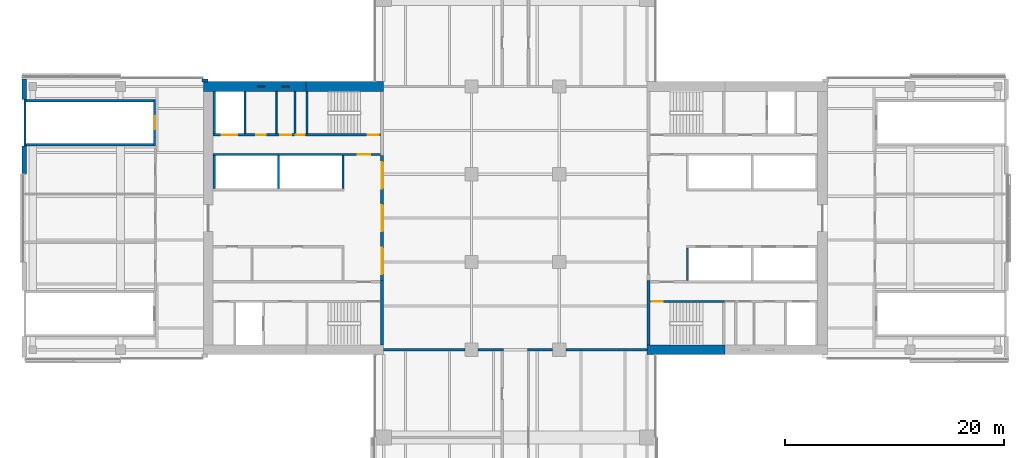
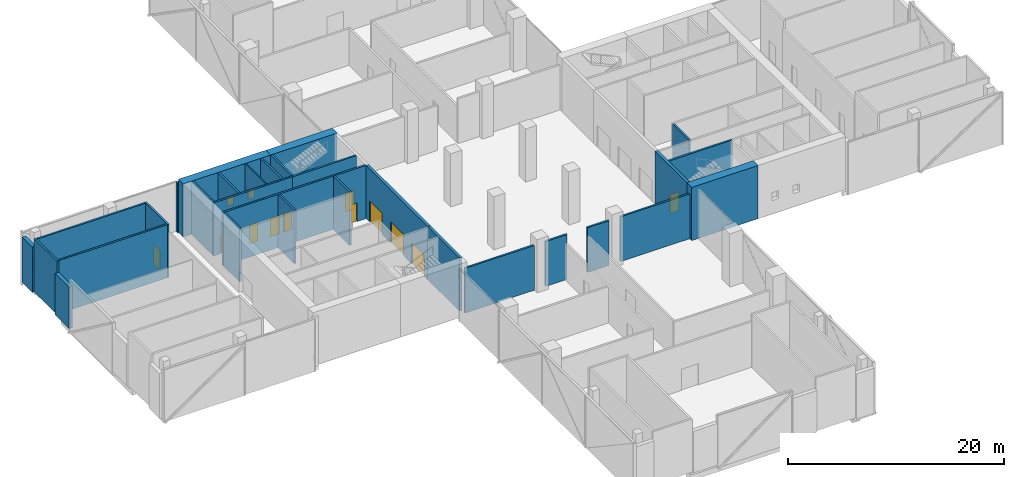
# One storey, part 15 of 23: 30 walls, 11 doors, 2 windows, 13 openings.
"""IFC4 building model written with IfcOpenShell, lengths in metres."""

import ifcopenshell
import ifcopenshell.guid

model = None  # the IFC model being written
_history = None  # IfcOwnerHistory: only IFC2X3 demands one
_inside = {}  # id of a spatial element -> (the spatial element, [elements in it])
_under = {}  # id of a project, library or spatial element -> (it, [spatial elements below it])
_declared = {}  # id of a project -> (the project, [libraries it declares])
_typed = {}  # id of a type object -> (the type object, [elements of that type])
_made_of = {}  # id of a material, layer set ... -> (it, [elements and type objects made of it])


def new_model(schema):
    """Start an empty IFC model of exactly this schema.

    Asked for "IFC4X3", IfcOpenShell would pick the latest addendum, in which some entities
    have other attributes; the version numbers below select the first issue.
    IFC2X3 requires an IfcOwnerHistory on every rooted entity: one is made here for all.
    """
    global model, _history
    if schema == "IFC4X3":
        model = ifcopenshell.file(schema_version=(4, 3, 0, 0))
    else:
        model = ifcopenshell.file(schema=schema)
    _inside.clear()
    _under.clear()
    _declared.clear()
    _typed.clear()
    _made_of.clear()
    _history = None
    if model.schema == "IFC2X3":
        org = make("IfcOrganization", Name="unknown")
        user = make(
            "IfcPersonAndOrganization",
            ThePerson=make("IfcPerson", FamilyName="unknown"),
            TheOrganization=org,
        )
        app = make(
            "IfcApplication",
            ApplicationDeveloper=org,
            Version="unknown",
            ApplicationFullName="unknown",
            ApplicationIdentifier="unknown",
        )
        _history = make(
            "IfcOwnerHistory",
            OwningUser=user,
            OwningApplication=app,
            ChangeAction="ADDED",
            CreationDate=0,
        )
    return model


def make(cls, **values):
    """One entity of the class cls with the attributes given. An attribute that is None is left unset."""
    return model.create_entity(
        cls, **{name: value for name, value in values.items() if value is not None}
    )


def rooted(cls, **values):
    """An entity with a GlobalId (a new one), such as an element, a storey or a relation."""
    return make(cls, GlobalId=ifcopenshell.guid.new(), OwnerHistory=_history, **values)


def si_unit(unit_type, name, prefix=None):
    """IfcSIUnit, for example si_unit("LENGTHUNIT", "METRE", prefix="MILLI")."""
    return make("IfcSIUnit", UnitType=unit_type, Prefix=prefix, Name=name)


def assignment(units):
    """IfcUnitAssignment: the units of a project."""
    return None if units is None else make("IfcUnitAssignment", Units=units)


def point(xyz):
    """IfcCartesianPoint."""
    return None if xyz is None else make("IfcCartesianPoint", Coordinates=xyz)


def direction(xyz):
    """IfcDirection."""
    return None if xyz is None else make("IfcDirection", DirectionRatios=xyz)


def frame(location, z_axis=None, x_axis=None):
    """IfcAxis2Placement3D, a coordinate frame: its origin and axes. An axis left out is left unset."""
    return make(
        "IfcAxis2Placement3D",
        Location=point(location),
        Axis=direction(z_axis),
        RefDirection=direction(x_axis),
    )


def frame_2d(location, x_axis=None):
    """IfcAxis2Placement2D, a coordinate frame in the plane: its origin and x axis."""
    return make(
        "IfcAxis2Placement2D", Location=point(location), RefDirection=direction(x_axis)
    )


def origin():
    """The frame at (0, 0, 0) with its axes left unset."""
    return frame((0.0, 0.0, 0.0))


def place(relative_to, where):
    """IfcLocalPlacement: puts the frame where relative to a parent placement (None: the world)."""
    return make(
        "IfcLocalPlacement", PlacementRelTo=relative_to, RelativePlacement=where
    )


def context(
    kind, dimensions, precision=None, world=None, true_north=None, identifier=None
):
    """IfcGeometricRepresentationContext, for example the 3D "Model" context."""
    return make(
        "IfcGeometricRepresentationContext",
        ContextIdentifier=identifier,
        ContextType=kind,
        CoordinateSpaceDimension=dimensions,
        Precision=precision,
        WorldCoordinateSystem=world,
        TrueNorth=true_north,
    )


def subcontext(parent, identifier, kind, view, scale=None):
    """IfcGeometricRepresentationSubContext, for example "Body" below "Model"."""
    return make(
        "IfcGeometricRepresentationSubContext",
        ContextIdentifier=identifier,
        ContextType=kind,
        ParentContext=parent,
        TargetScale=scale,
        TargetView=view,
    )


def project(units=None, contexts=None):
    """IfcProject with its units and contexts."""
    return rooted(
        "IfcProject",
        Name="project",
        RepresentationContexts=contexts,
        UnitsInContext=assignment(units),
    )


def spatial(cls, under=None, at=None, **own):
    """A site, building, storey or space (cls), placed at a placement, below another one or the project."""
    s = rooted(cls, ObjectPlacement=at, **own)
    if under is not None:
        _under.setdefault(under.id(), (under, []))[1].append(s)
    return s


def profile(cls, at=None, kind="AREA", **sizes):
    """A parametric profile (cls). Its sizes go by their IFC names, for example OverallWidth=200.0."""
    return make(cls, ProfileType=kind, Position=at, **sizes)


def rectangle(**sizes):
    """IfcRectangleProfileDef."""
    return profile("IfcRectangleProfileDef", **sizes)


def extrude(swept, where, along, depth):
    """IfcExtrudedAreaSolid: the profile swept, set in the frame where, extruded along a direction by depth."""
    return make(
        "IfcExtrudedAreaSolid",
        SweptArea=swept,
        Position=where,
        ExtrudedDirection=direction(along),
        Depth=depth,
    )


def shape(context_of_items, identifier, shape_type, items):
    """IfcShapeRepresentation: the items that make up one representation, for example the "Body"."""
    return make(
        "IfcShapeRepresentation",
        ContextOfItems=context_of_items,
        RepresentationIdentifier=identifier,
        RepresentationType=shape_type,
        Items=items,
    )


def material(Name=None, Category=None):
    """IfcMaterial."""
    return make("IfcMaterial", Name=Name, Category=Category)


def layer(
    of_material, thickness, ventilated=None, Name=None, Category=None, Priority=None
):
    """IfcMaterialLayer: one layer of a wall or slab, of a material (None: an air gap)."""
    return make(
        "IfcMaterialLayer",
        Material=of_material,
        LayerThickness=thickness,
        IsVentilated=ventilated,
        Name=Name,
        Category=Category,
        Priority=Priority,
    )


def layer_set(layers, Name=None):
    """IfcMaterialLayerSet."""
    return make("IfcMaterialLayerSet", MaterialLayers=layers, LayerSetName=Name)


def constituent(of_material, Name=None, Category=None, fraction=None):
    """IfcMaterialConstituent: one of the materials an element consists of."""
    return make(
        "IfcMaterialConstituent",
        Name=Name,
        Material=of_material,
        Fraction=fraction,
        Category=Category,
    )


def constituent_set(constituents=None, Name=None):
    """IfcMaterialConstituentSet."""
    return make(
        "IfcMaterialConstituentSet", Name=Name, MaterialConstituents=constituents
    )


def made_of(thing, what):
    """Note that an element or type object is made of a material, layer set ...; save() writes the relation."""
    if what is not None:
        _made_of.setdefault(what.id(), (what, []))[1].append(thing)
    return thing


def type_object(cls, material=None, **own):
    """A type object (cls), such as IfcWallType, which elements share."""
    return made_of(rooted(cls, **own), material)


def element(
    cls,
    number,
    at=None,
    inside=None,
    cuts=None,
    type_object=None,
    material=None,
    context=None,
    identifier="Body",
    shape_type=None,
    held_by="IfcProductDefinitionShape",
    body=None,
    shapes=None,
    **own,
):
    """One element of the class cls, such as IfcWall. Its Tag is "e" and its number.

    at: its placement. inside: the storey or other place that contains it. cuts: it is an
    opening in that element (IfcRelVoidsElement). A single representation is given by context,
    identifier, shape_type and body (its items); several are given by shapes. held_by: the class
    of the entity that holds the representations. save() writes the other relations.
    """
    e = rooted(cls, Tag="e%d" % number, ObjectPlacement=at, **own)
    if body is not None:
        shapes = [shape(context, identifier, shape_type, body)]
    if shapes is not None:
        e.Representation = make(held_by, Representations=shapes)
    if inside is not None:
        _inside.setdefault(inside.id(), (inside, []))[1].append(e)
    if cuts is not None:
        rooted(
            "IfcRelVoidsElement", RelatingBuildingElement=cuts, RelatedOpeningElement=e
        )
    if type_object is not None:
        _typed.setdefault(type_object.id(), (type_object, []))[1].append(e)
    return made_of(e, material)


def fill(opening, filler):
    """IfcRelFillsElement: the door or window that sits in an opening."""
    return rooted(
        "IfcRelFillsElement",
        RelatingOpeningElement=opening,
        RelatedBuildingElement=filler,
    )


def aggregate(whole, parts):
    """IfcRelAggregates: a whole, such as a stair, and the parts it consists of."""
    return rooted("IfcRelAggregates", RelatingObject=whole, RelatedObjects=parts)


def save(model, path):
    """Write the relations noted so far, then the file.

    IfcRelAggregates (storeys below a building ...), IfcRelContainedInSpatialStructure (elements
    in a storey), IfcRelDefinesByType, IfcRelAssociatesMaterial and IfcRelDeclares: one each for
    every whole, place, type object, material and project.
    """
    for whole, parts in _under.values():
        aggregate(whole, parts)
    for where, things in _inside.values():
        rooted(
            "IfcRelContainedInSpatialStructure",
            RelatedElements=things,
            RelatingStructure=where,
        )
    for kind, things in _typed.values():
        rooted("IfcRelDefinesByType", RelatedObjects=things, RelatingType=kind)
    for what, things in _made_of.values():
        rooted("IfcRelAssociatesMaterial", RelatedObjects=things, RelatingMaterial=what)
    for by, libraries in _declared.values():
        rooted("IfcRelDeclares", RelatingContext=by, RelatedDefinitions=libraries)
    model.write(path)


model = new_model("IFC4")

# Units and contexts
model_context = context("Model", 3, precision=1e-05, world=origin(), true_north=direction((0.0, 1.0)))
body_context = subcontext(model_context, "Body", "Model", "MODEL_VIEW")
ifc_project = project(units=[si_unit("LENGTHUNIT", "METRE"), si_unit("AREAUNIT", "SQUARE_METRE"), si_unit("VOLUMEUNIT", "CUBIC_METRE"), si_unit("PLANEANGLEUNIT", "RADIAN"), si_unit("MASSUNIT", "GRAM", prefix="KILO")], contexts=[model_context])

# Site, building, storey
site_placement = place(None, origin())
site = spatial("IfcSite", under=ifc_project, at=site_placement, CompositionType="ELEMENT")
building_placement = place(site_placement, origin())
building = spatial("IfcBuilding", under=site, at=building_placement, Name="Crosswind Convention Tower", CompositionType="ELEMENT")
storey_placement = place(building_placement, frame((0.0, 0.0, 41.5)))
storey = spatial("IfcBuildingStorey", under=building, at=storey_placement, Name="L05", CompositionType="ELEMENT", Elevation=41.5)

# Walls
ifc_material_1 = material(Name="Concrete blockwork", Category="masonry")
ifc_layer_1 = layer(ifc_material_1, 0.199951171875)
ifc_layer_set_1 = layer_set([ifc_layer_1], Name="Blockwork partition wall 200")
wall_type_1 = type_object("IfcWallType", Name="Blockwork partition wall 200", PredefinedType="PARTITIONING", material=ifc_layer_set_1)
wall_1_placement = place(storey_placement, frame((104.89990234375, 111.550048828125, 0.0), z_axis=(0.0, 0.0, 1.0), x_axis=(0.0, -1.0, 0.0)))
element("IfcWall", 1, at=wall_1_placement, inside=storey, type_object=wall_type_1, Name="Wall MRSE W L05", PredefinedType="PARTITIONING", context=body_context, shape_type="SweptSolid", body=[
    extrude(rectangle(XDim=3.85009765625, YDim=0.199951171875, at=frame_2d((1.925048828125, 0.0))), origin(), (0.0, 0.0, 1.0), 6.0),
])
ifc_material_2 = material(Name="Concrete C50/60", Category="concrete")
ifc_layer_2 = layer(ifc_material_2, 0.300048828125)
ifc_layer_set_2 = layer_set([ifc_layer_2], Name="Concrete C50/60")
wall_type_2 = type_object("IfcWallType", Name="Concrete inner core wall 300", PredefinedType="SHEAR", material=ifc_layer_set_2)
wall_2_placement = place(storey_placement, frame((137.14990234375, 88.449951171875, 0.0), z_axis=(0.0, 0.0, 1.0), x_axis=(0.0, 1.0, 0.0)))
element("IfcWall", 2, at=wall_2_placement, inside=storey, type_object=wall_type_2, Name="Wall EM E L05", PredefinedType="SHEAR", context=body_context, shape_type="SweptSolid", body=[
    extrude(rectangle(XDim=5.85009765625, YDim=0.300048828125, at=frame_2d((2.925048828125, 0.0))), origin(), (0.0, 0.0, 1.0), 6.0),
])

# Wall, openings, doors
wall_3_placement = place(storey_placement, frame((112.85009765625, 105.699951171875, 0.0), z_axis=(0.0, 0.0, 1.0), x_axis=(0.0, -1.0, 0.0)))
wall_3 = element("IfcWall", 3, at=wall_3_placement, inside=storey, type_object=wall_type_2, Name="Wall SCR W L05", PredefinedType="SHEAR", context=body_context, shape_type="SweptSolid", body=[
    extrude(rectangle(XDim=11.39990234375, YDim=0.300048828125, at=frame_2d((5.699951171875, 0.0))), origin(), (0.0, 0.0, 1.0), 6.0),
])
opening_1_placement = place(wall_3_placement, frame((0.60009765625, 0.0, 0.0)))
opening_1 = element("IfcOpeningElement", 4, at=opening_1_placement, cuts=wall_3, Name="Opening D100", PredefinedType="OPENING", context=body_context, shape_type="SweptSolid", body=[
    extrude(rectangle(XDim=2.39990234375, YDim=2.39990234375, at=frame_2d((1.199951171875, 1.199951171875))), frame((0.0, 0.159912109375, 0.0), z_axis=(0.0, -1.0, 0.0), x_axis=(1.0, 0.0, 0.0)), (0.0, 0.0, 1.0), 0.320068359375),
])
opening_2_placement = place(wall_3_placement, frame((4.5, 0.0, 0.0)))
opening_2 = element("IfcOpeningElement", 5, at=opening_2_placement, cuts=wall_3, Name="Opening D100", PredefinedType="OPENING", context=body_context, shape_type="SweptSolid", body=[
    extrude(rectangle(XDim=2.39990234375, YDim=2.39990234375, at=frame_2d((1.199951171875, 1.199951171875))), frame((0.0, 0.159912109375, 0.0), z_axis=(0.0, -1.0, 0.0), x_axis=(1.0, 0.0, 0.0)), (0.0, 0.0, 1.0), 0.320068359375),
])
opening_3_placement = place(wall_3_placement, frame((8.39990234375, 0.0, 0.0)))
opening_3 = element("IfcOpeningElement", 6, at=opening_3_placement, cuts=wall_3, Name="Opening D100", PredefinedType="OPENING", context=body_context, shape_type="SweptSolid", body=[
    extrude(rectangle(XDim=2.39990234375, YDim=2.39990234375, at=frame_2d((1.199951171875, 1.199951171875))), frame((0.0, 0.159912109375, 0.0), z_axis=(0.0, -1.0, 0.0), x_axis=(1.0, 0.0, 0.0)), (0.0, 0.0, 1.0), 0.320068359375),
])
ifc_material_3 = material(Name="Steel fire door with glazed vision panels", Category="steel")
door_type_1 = type_object("IfcDoorType", Name="Fire-rated double door 2400x2400", OperationType="DOUBLE_DOOR_SINGLE_SWING", PredefinedType="DOOR", material=ifc_material_3)
door_1_placement = place(opening_1_placement, frame((2.39990234375, 0.0, 0.0), z_axis=(0.0, 0.0, 1.0), x_axis=(-1.0, 0.0, 0.0)))
door_1 = element("IfcDoor", 7, at=door_1_placement, inside=storey, type_object=door_type_1, Name="Lobby door 1 L05", ObjectType="D100", OperationType="DOUBLE_DOOR_SINGLE_SWING", OverallHeight=2.39990234375, OverallWidth=2.39990234375, PredefinedType="DOOR", context=body_context, shape_type="SweptSolid", body=[
    extrude(rectangle(XDim=2.39990234375, YDim=2.39990234375, at=frame_2d((1.199951171875, 1.199951171875))), frame((0.0, 0.02490234375, 0.0), z_axis=(0.0, -1.0, 0.0), x_axis=(1.0, 0.0, 0.0)), (0.0, 0.0, 1.0), 0.050048828125),
])
fill(opening_1, door_1)
door_2_placement = place(opening_2_placement, frame((2.39990234375, 0.0, 0.0), z_axis=(0.0, 0.0, 1.0), x_axis=(-1.0, 0.0, 0.0)))
door_2 = element("IfcDoor", 8, at=door_2_placement, inside=storey, type_object=door_type_1, Name="Lobby door 2 L05", ObjectType="D100", OperationType="DOUBLE_DOOR_SINGLE_SWING", OverallHeight=2.39990234375, OverallWidth=2.39990234375, PredefinedType="DOOR", context=body_context, shape_type="SweptSolid", body=[
    extrude(rectangle(XDim=2.39990234375, YDim=2.39990234375, at=frame_2d((1.199951171875, 1.199951171875))), frame((0.0, 0.02490234375, 0.0), z_axis=(0.0, -1.0, 0.0), x_axis=(1.0, 0.0, 0.0)), (0.0, 0.0, 1.0), 0.050048828125),
])
fill(opening_2, door_2)
door_3_placement = place(opening_3_placement, frame((2.39990234375, 0.0, 0.0), z_axis=(0.0, 0.0, 1.0), x_axis=(-1.0, 0.0, 0.0)))
door_3 = element("IfcDoor", 9, at=door_3_placement, inside=storey, type_object=door_type_1, Name="Lobby door 3 L05", ObjectType="D100", OperationType="DOUBLE_DOOR_SINGLE_SWING", OverallHeight=2.39990234375, OverallWidth=2.39990234375, PredefinedType="DOOR", context=body_context, shape_type="SweptSolid", body=[
    extrude(rectangle(XDim=2.39990234375, YDim=2.39990234375, at=frame_2d((1.199951171875, 1.199951171875))), frame((0.0, 0.02490234375, 0.0), z_axis=(0.0, -1.0, 0.0), x_axis=(1.0, 0.0, 0.0)), (0.0, 0.0, 1.0), 0.050048828125),
])
fill(opening_3, door_3)

# Walls
wall_4_placement = place(storey_placement, frame((112.85009765625, 94.300048828125, 0.0), z_axis=(0.0, 0.0, 1.0), x_axis=(0.0, -1.0, 0.0)))
element("IfcWall", 10, at=wall_4_placement, inside=storey, type_object=wall_type_2, Name="Wall EP W L05", PredefinedType="SHEAR", context=body_context, shape_type="SweptSolid", body=[
    extrude(rectangle(XDim=5.85009765625, YDim=0.300048828125, at=frame_2d((2.925048828125, 0.0))), origin(), (0.0, 0.0, 1.0), 6.0),
])
ifc_layer_3 = layer(ifc_material_2, 0.199951171875)
ifc_layer_set_3 = layer_set([ifc_layer_3], Name="Concrete C50/60")
wall_type_3 = type_object("IfcWallType", Name="Concrete shaft and stair wall 200", PredefinedType="SHEAR", material=ifc_layer_set_3)
wall_5_placement = place(storey_placement, frame((140.699951171875, 94.300048828125, 0.0), z_axis=(0.0, 0.0, 1.0), x_axis=(0.0, 1.0, 0.0)))
element("IfcWall", 11, at=wall_5_placement, inside=storey, type_object=wall_type_3, Name="Wall RMEND E L05", PredefinedType="SHEAR", context=body_context, shape_type="SweptSolid", body=[
    extrude(rectangle(XDim=3.0, YDim=0.199951171875, at=frame_2d((1.5, 0.0))), origin(), (0.0, 0.0, 1.0), 6.0),
])

# Wall, opening, door
wall_6_placement = place(storey_placement, frame((137.300048828125, 92.39990234375, 0.0), z_axis=(0.0, 0.0, 1.0), x_axis=(1.0, 0.0, 0.0)))
wall_6 = element("IfcWall", 12, at=wall_6_placement, inside=storey, type_object=wall_type_3, Name="Wall MCW E L05", PredefinedType="SHEAR", context=body_context, shape_type="SweptSolid", body=[
    extrude(rectangle(XDim=6.800048828125, YDim=0.199951171875, at=frame_2d((3.39990234375, 0.0))), origin(), (0.0, 0.0, 1.0), 6.0),
])
opening_4_placement = place(wall_6_placement, frame((0.14990234375, 0.0, 0.0)))
opening_4 = element("IfcOpeningElement", 13, at=opening_4_placement, cuts=wall_6, Name="Opening D103", PredefinedType="OPENING", context=body_context, shape_type="SweptSolid", body=[
    extrude(rectangle(XDim=1.0, YDim=2.10009765625, at=frame_2d((0.5, 1.050048828125))), frame((0.0, 0.10986328125, 0.0), z_axis=(0.0, -1.0, 0.0), x_axis=(1.0, 0.0, 0.0)), (0.0, 0.0, 1.0), 0.219970703125),
])
ifc_material_4 = material(Name="Steel fire door", Category="steel")
door_type_2 = type_object("IfcDoorType", Name="Fire-rated single door 1000x2100", OperationType="NOTDEFINED", PredefinedType="DOOR", material=ifc_material_4)
door_4_placement = place(opening_4_placement, frame((1.0, 0.0, 0.0), z_axis=(0.0, 0.0, 1.0), x_axis=(-1.0, 0.0, 0.0)))
door_4 = element("IfcDoor", 14, at=door_4_placement, inside=storey, type_object=door_type_2, Name="Stair ST2 door L05", ObjectType="D103", OperationType="SINGLE_SWING_RIGHT", OverallHeight=2.10009765625, OverallWidth=1.0, PredefinedType="DOOR", context=body_context, shape_type="SweptSolid", body=[
    extrude(rectangle(XDim=1.0, YDim=2.10009765625, at=frame_2d((0.5, 1.050048828125))), frame((0.0, 0.02490234375, 0.0), z_axis=(0.0, -1.0, 0.0), x_axis=(1.0, 0.0, 0.0)), (0.0, 0.0, 1.0), 0.050048828125),
])
fill(opening_4, door_4)

# Walls
for number, where, z_axis, x_axis, name in (
    (15, (109.300048828125, 105.699951171875, 0.0), (0.0, 0.0, 1.0), (0.0, -1.0, 0.0), "Wall RMEND W L05"),
    (16, (103.39990234375, 105.699951171875, 0.0), (0.0, 0.0, 1.0), (0.0, -1.0, 0.0), "Wall RMSEP W L05"),
    (17, (97.550048828125, 105.699951171875, 0.0), (0.0, 0.0, 1.0), (0.0, -1.0, 0.0), "Wall RMEAST W L05"),
):
    element("IfcWall", number, at=place(storey_placement, frame(where, z_axis=z_axis, x_axis=x_axis)), inside=storey, type_object=wall_type_3, Name=name, PredefinedType="SHEAR", context=body_context, shape_type="SweptSolid", body=[
        extrude(rectangle(XDim=3.0, YDim=0.199951171875, at=frame_2d((1.5, 0.0))), origin(), (0.0, 0.0, 1.0), 6.0),
    ])

# Wall, opening, door
wall_7_placement = place(storey_placement, frame((112.699951171875, 105.800048828125, 0.0), z_axis=(0.0, 0.0, 1.0), x_axis=(-1.0, 0.0, 0.0)))
wall_7 = element("IfcWall", 18, at=wall_7_placement, inside=storey, type_object=wall_type_3, Name="Wall HM W L05", PredefinedType="SHEAR", context=body_context, shape_type="SweptSolid", body=[
    extrude(rectangle(XDim=15.25, YDim=0.199951171875, at=frame_2d((7.625, 0.0))), origin(), (0.0, 0.0, 1.0), 6.0),
])
opening_5_placement = place(wall_7_placement, frame((0.949951171875, 0.0, 0.0)))
opening_5 = element("IfcOpeningElement", 19, at=opening_5_placement, cuts=wall_7, Name="Opening D104", PredefinedType="OPENING", context=body_context, shape_type="SweptSolid", body=[
    extrude(rectangle(XDim=1.10009765625, YDim=2.10009765625, at=frame_2d((0.550048828125, 1.050048828125))), frame((0.0, 0.10986328125, 0.0), z_axis=(0.0, -1.0, 0.0), x_axis=(1.0, 0.0, 0.0)), (0.0, 0.0, 1.0), 0.219970703125),
])
door_type_3 = type_object("IfcDoorType", Name="Fire-rated single door 1100x2100", OperationType="NOTDEFINED", PredefinedType="DOOR", material=ifc_material_4)
door_5_placement = place(opening_5_placement, frame((1.10009765625, 0.0, 0.0), z_axis=(0.0, 0.0, 1.0), x_axis=(-1.0, 0.0, 0.0)))
door_5 = element("IfcDoor", 20, at=door_5_placement, inside=storey, type_object=door_type_3, Name="Corridor door L05", ObjectType="D104", OperationType="SINGLE_SWING_RIGHT", OverallHeight=2.10009765625, OverallWidth=1.10009765625, PredefinedType="DOOR", context=body_context, shape_type="SweptSolid", body=[
    extrude(rectangle(XDim=1.10009765625, YDim=2.10009765625, at=frame_2d((0.550048828125, 1.050048828125))), frame((0.0, 0.02490234375, 0.0), z_axis=(0.0, -1.0, 0.0), x_axis=(1.0, 0.0, 0.0)), (0.0, 0.0, 1.0), 0.050048828125),
])
fill(opening_5, door_5)

# Walls
for number, where, z_axis, x_axis, name in (
    (21, (106.0, 111.550048828125, 0.0), (0.0, 0.0, 1.0), (0.0, -1.0, 0.0), "Wall MSE W L05"),
    (22, (100.35009765625, 111.550048828125, 0.0), (0.0, 0.0, 1.0), (0.0, -1.0, 0.0), "Wall MFSW W L05"),
    (23, (97.550048828125, 111.550048828125, 0.0), (0.0, 0.0, 1.0), (0.0, -1.0, 0.0), "Wall MFSE W L05"),
):
    element("IfcWall", number, at=place(storey_placement, frame(where, z_axis=z_axis, x_axis=x_axis)), inside=storey, type_object=wall_type_3, Name=name, PredefinedType="SHEAR", context=body_context, shape_type="SweptSolid", body=[
        extrude(rectangle(XDim=3.85009765625, YDim=0.199951171875, at=frame_2d((1.925048828125, 0.0))), origin(), (0.0, 0.0, 1.0), 6.0),
    ])

# Wall, opening, door
wall_8_placement = place(storey_placement, frame((112.699951171875, 107.60009765625, 0.0), z_axis=(0.0, 0.0, 1.0), x_axis=(-1.0, 0.0, 0.0)))
wall_8 = element("IfcWall", 24, at=wall_8_placement, inside=storey, type_object=wall_type_3, Name="Wall MCW W L05", PredefinedType="SHEAR", context=body_context, shape_type="SweptSolid", body=[
    extrude(rectangle(XDim=6.800048828125, YDim=0.199951171875, at=frame_2d((3.39990234375, 0.0))), origin(), (0.0, 0.0, 1.0), 6.0),
])
opening_6_placement = place(wall_8_placement, frame((0.14990234375, 0.0, 0.0)))
opening_6 = element("IfcOpeningElement", 25, at=opening_6_placement, cuts=wall_8, Name="Opening D103", PredefinedType="OPENING", context=body_context, shape_type="SweptSolid", body=[
    extrude(rectangle(XDim=1.0, YDim=2.10009765625, at=frame_2d((0.5, 1.050048828125))), frame((0.0, 0.10986328125, 0.0), z_axis=(0.0, -1.0, 0.0), x_axis=(1.0, 0.0, 0.0)), (0.0, 0.0, 1.0), 0.219970703125),
])
door_6_placement = place(opening_6_placement, frame((1.0, 0.0, 0.0), z_axis=(0.0, 0.0, 1.0), x_axis=(-1.0, 0.0, 0.0)))
door_6 = element("IfcDoor", 26, at=door_6_placement, inside=storey, type_object=door_type_2, Name="Stair ST4 door L05", ObjectType="D103", OperationType="SINGLE_SWING_RIGHT", OverallHeight=2.10009765625, OverallWidth=1.0, PredefinedType="DOOR", context=body_context, shape_type="SweptSolid", body=[
    extrude(rectangle(XDim=1.0, YDim=2.10009765625, at=frame_2d((0.5, 1.050048828125))), frame((0.0, 0.02490234375, 0.0), z_axis=(0.0, -1.0, 0.0), x_axis=(1.0, 0.0, 0.0)), (0.0, 0.0, 1.0), 0.050048828125),
])
fill(opening_6, door_6)

# Wall, openings, doors
wall_9_placement = place(storey_placement, frame((105.89990234375, 107.60009765625, 0.0), z_axis=(0.0, 0.0, 1.0), x_axis=(-1.0, 0.0, 0.0)))
wall_9 = element("IfcWall", 27, at=wall_9_placement, inside=storey, type_object=wall_type_3, Name="Wall MCX W L05", PredefinedType="SHEAR", context=body_context, shape_type="SweptSolid", body=[
    extrude(rectangle(XDim=8.449951171875, YDim=0.199951171875, at=frame_2d((4.22509765625, 0.0))), origin(), (0.0, 0.0, 1.0), 6.0),
])
opening_7_placement = place(wall_9_placement, frame((0.10009765625, 0.0, 0.0)))
opening_7 = element("IfcOpeningElement", 28, at=opening_7_placement, cuts=wall_9, Name="Opening D105", PredefinedType="OPENING", context=body_context, shape_type="SweptSolid", body=[
    extrude(rectangle(XDim=0.800048828125, YDim=2.10009765625, at=frame_2d((0.39990234375, 1.050048828125))), frame((0.0, 0.10986328125, 0.0), z_axis=(0.0, -1.0, 0.0), x_axis=(1.0, 0.0, 0.0)), (0.0, 0.0, 1.0), 0.219970703125),
])
opening_8_placement = place(wall_9_placement, frame((1.351806640625, 0.0, 0.0)))
opening_8 = element("IfcOpeningElement", 29, at=opening_8_placement, cuts=wall_9, Name="Opening D103", PredefinedType="OPENING", context=body_context, shape_type="SweptSolid", body=[
    extrude(rectangle(XDim=1.0, YDim=2.10009765625, at=frame_2d((0.5, 1.050048828125))), frame((0.0, 0.10986328125, 0.0), z_axis=(0.0, -1.0, 0.0), x_axis=(1.0, 0.0, 0.0)), (0.0, 0.0, 1.0), 0.219970703125),
])
opening_9_placement = place(wall_9_placement, frame((3.63916015625, 0.0, 0.0)))
opening_9 = element("IfcOpeningElement", 30, at=opening_9_placement, cuts=wall_9, Name="Opening D106", PredefinedType="OPENING", context=body_context, shape_type="SweptSolid", body=[
    extrude(rectangle(XDim=0.89990234375, YDim=2.10009765625, at=frame_2d((0.449951171875, 1.050048828125))), frame((0.0, 0.10986328125, 0.0), z_axis=(0.0, -1.0, 0.0), x_axis=(1.0, 0.0, 0.0)), (0.0, 0.0, 1.0), 0.219970703125),
])
opening_10_placement = place(wall_9_placement, frame((6.25, 0.0, 0.0)))
opening_10 = element("IfcOpeningElement", 31, at=opening_10_placement, cuts=wall_9, Name="Opening LD2", PredefinedType="OPENING", context=body_context, shape_type="SweptSolid", body=[
    extrude(rectangle(XDim=1.39990234375, YDim=2.10009765625, at=frame_2d((0.699951171875, 1.050048828125))), frame((0.0, 0.10986328125, 0.0), z_axis=(0.0, -1.0, 0.0), x_axis=(1.0, 0.0, 0.0)), (0.0, 0.0, 1.0), 0.219970703125),
])
door_7_placement = place(opening_8_placement, frame((1.0, 0.0, 0.0), z_axis=(0.0, 0.0, 1.0), x_axis=(-1.0, 0.0, 0.0)))
door_7 = element("IfcDoor", 32, at=door_7_placement, inside=storey, type_object=door_type_2, Name="Door to accessible wc L05", ObjectType="D103", OperationType="SINGLE_SWING_LEFT", OverallHeight=2.10009765625, OverallWidth=1.0, PredefinedType="DOOR", context=body_context, shape_type="SweptSolid", body=[
    extrude(rectangle(XDim=1.0, YDim=2.10009765625, at=frame_2d((0.5, 1.050048828125))), frame((0.0, 0.02490234375, 0.0), z_axis=(0.0, -1.0, 0.0), x_axis=(1.0, 0.0, 0.0)), (0.0, 0.0, 1.0), 0.050048828125),
])
fill(opening_8, door_7)
ifc_material_5 = material(Name="Stainless steel", Category="steel")
door_type_4 = type_object("IfcDoorType", Name="Lift landing door 1400x2100", OperationType="DOUBLE_DOOR_SLIDING", PredefinedType="DOOR", material=ifc_material_5)
door_8_placement = place(opening_10_placement, origin())
door_8 = element("IfcDoor", 33, at=door_8_placement, inside=storey, type_object=door_type_4, Name="Landing door SV2 L05", ObjectType="LD2", OperationType="DOUBLE_DOOR_SLIDING", OverallHeight=2.10009765625, OverallWidth=1.39990234375, PredefinedType="DOOR", context=body_context, shape_type="SweptSolid", body=[
    extrude(rectangle(XDim=1.39990234375, YDim=2.10009765625, at=frame_2d((0.699951171875, 1.050048828125))), frame((0.0, 0.02490234375, 0.0), z_axis=(0.0, -1.0, 0.0), x_axis=(1.0, 0.0, 0.0)), (0.0, 0.0, 1.0), 0.050048828125),
])
fill(opening_10, door_8)
door_type_5 = type_object("IfcDoorType", Name="Riser access door 800x2100", OperationType="NOTDEFINED", PredefinedType="DOOR", material=ifc_material_4)
door_9_placement = place(opening_7_placement, frame((0.800048828125, 0.0, 0.0), z_axis=(0.0, 0.0, 1.0), x_axis=(-1.0, 0.0, 0.0)))
door_9 = element("IfcDoor", 34, at=door_9_placement, inside=storey, type_object=door_type_5, Name="Riser door L05", ObjectType="D105", OperationType="SINGLE_SWING_LEFT", OverallHeight=2.10009765625, OverallWidth=0.800048828125, PredefinedType="DOOR", context=body_context, shape_type="SweptSolid", body=[
    extrude(rectangle(XDim=0.800048828125, YDim=2.10009765625, at=frame_2d((0.39990234375, 1.050048828125))), frame((0.0, 0.02490234375, 0.0), z_axis=(0.0, -1.0, 0.0), x_axis=(1.0, 0.0, 0.0)), (0.0, 0.0, 1.0), 0.050048828125),
])
fill(opening_7, door_9)
ifc_material_6 = material(Name="Timber door", Category="wood")
door_type_6 = type_object("IfcDoorType", Name="Single leaf door 900x2100", OperationType="NOTDEFINED", PredefinedType="DOOR", material=ifc_material_6)
door_10_placement = place(opening_9_placement, frame((0.89990234375, 0.0, 0.0), z_axis=(0.0, 0.0, 1.0), x_axis=(-1.0, 0.0, 0.0)))
door_10 = element("IfcDoor", 35, at=door_10_placement, inside=storey, type_object=door_type_6, Name="Door to wc L05", ObjectType="D106", OperationType="SINGLE_SWING_LEFT", OverallHeight=2.10009765625, OverallWidth=0.89990234375, PredefinedType="DOOR", context=body_context, shape_type="SweptSolid", body=[
    extrude(rectangle(XDim=0.89990234375, YDim=2.10009765625, at=frame_2d((0.449951171875, 1.050048828125))), frame((0.0, 0.02490234375, 0.0), z_axis=(0.0, -1.0, 0.0), x_axis=(1.0, 0.0, 0.0)), (0.0, 0.0, 1.0), 0.050048828125),
])
fill(opening_9, door_10)

# Walls
ifc_material_7 = material(Name="Gypsum plasterboard partition", Category="gypsum")
ifc_layer_4 = layer(ifc_material_7, 0.125)
ifc_layer_set_4 = layer_set([ifc_layer_4], Name="Drywall partition wall 125")
wall_type_4 = type_object("IfcWallType", Name="Drywall partition wall 125", PredefinedType="PARTITIONING", material=ifc_layer_set_4)
wall_10_placement = place(storey_placement, frame((103.23388671875, 111.550048828125, 0.0), z_axis=(0.0, 0.0, 1.0), x_axis=(0.0, -1.0, 0.0)))
element("IfcWall", 36, at=wall_10_placement, inside=storey, type_object=wall_type_4, Name="Wall MWP1 W L05", PredefinedType="PARTITIONING", context=body_context, shape_type="SweptSolid", body=[
    extrude(rectangle(XDim=3.85009765625, YDim=0.125, at=frame_2d((1.925048828125, 0.0))), origin(), (0.0, 0.0, 1.0), 6.0),
])
ifc_material_8 = material(Name="Double plasterboard partition", Category="gypsum")
ifc_layer_5 = layer(ifc_material_8, 0.199951171875)
ifc_layer_set_5 = layer_set([ifc_layer_5], Name="HALL WALL 200")
wall_type_5 = type_object("IfcWallType", Name="HALL WALL 200", PredefinedType="PARTITIONING", material=ifc_layer_set_5)
wall_11_placement = place(storey_placement, frame((113.0, 88.0, 0.0), z_axis=(0.0, 0.0, 1.0), x_axis=(1.0, 0.0, 0.0)))
element("IfcWall", 37, at=wall_11_placement, inside=storey, type_object=wall_type_5, Name="Hall Wall 9", PredefinedType="PARTITIONING", context=body_context, shape_type="SweptSolid", body=[
    extrude(rectangle(XDim=7.39990234375, YDim=0.199951171875, at=frame_2d((3.699951171875, 0.0))), origin(), (0.0, 0.0, 1.0), 5.055419921875),
])
for number, where, z_axis, x_axis, name in (
    (38, (121.60009765625, 88.0, 0.0), (0.0, 0.0, 1.0), (1.0, 0.0, 0.0), "Hall Wall 10"),
    (39, (126.10009765625, 88.0, 0.0), (0.0, 0.0, 1.0), (1.0, 0.0, 0.0), "Hall Wall 11"),
):
    element("IfcWall", number, at=place(storey_placement, frame(where, z_axis=z_axis, x_axis=x_axis)), inside=storey, type_object=wall_type_5, Name=name, PredefinedType="PARTITIONING", context=body_context, shape_type="SweptSolid", body=[
        extrude(rectangle(XDim=2.2998046875, YDim=0.199951171875, at=frame_2d((1.14990234375, 0.0))), origin(), (0.0, 0.0, 1.0), 5.060546875),
    ])
wall_12_placement = place(storey_placement, frame((129.60009765625, 88.0, 0.0), z_axis=(0.0, 0.0, 1.0), x_axis=(1.0, 0.0, 0.0)))
element("IfcWall", 40, at=wall_12_placement, inside=storey, type_object=wall_type_5, Name="Hall Wall 12", PredefinedType="PARTITIONING", context=body_context, shape_type="SweptSolid", body=[
    extrude(rectangle(XDim=7.39990234375, YDim=0.199951171875, at=frame_2d((3.699951171875, 0.0))), origin(), (0.0, 0.0, 1.0), 5.055419921875),
])
ifc_material_9 = material(Name="Concrete C40/50", Category="concrete")
ifc_layer_6 = layer(ifc_material_9, 0.199951171875)
ifc_layer_set_6 = layer_set([ifc_layer_6], Name="Concrete C40/50")
wall_type_6 = type_object("IfcWallType", Name="STAIR ENCLOSURE WALL 200", PredefinedType="SOLIDWALL", material=ifc_layer_set_6)
for number, where, z_axis, x_axis, name in (
    (41, (80.39990234375, 106.699951171875, 0.0), (0.0, 0.0, 1.0), (1.0, 0.0, 0.0), "Stair Enclosure Wall 21"),
    (42, (80.39990234375, 110.699951171875, 0.0), (0.0, 0.0, 1.0), (1.0, 0.0, 0.0), "Stair Enclosure Wall 23"),
):
    element("IfcWall", number, at=place(storey_placement, frame(where, z_axis=z_axis, x_axis=x_axis)), inside=storey, type_object=wall_type_6, Name=name, PredefinedType="SOLIDWALL", context=body_context, shape_type="SweptSolid", body=[
        extrude(rectangle(XDim=11.60009765625, YDim=0.199951171875, at=frame_2d((5.800048828125, 0.0))), origin(), (0.0, 0.0, 1.0), 6.0),
    ])
wall_13_placement = place(storey_placement, frame((80.300048828125, 106.60009765625, 0.0), z_axis=(0.0, 0.0, 1.0), x_axis=(0.0, 1.0, 0.0)))
element("IfcWall", 43, at=wall_13_placement, inside=storey, type_object=wall_type_6, Name="Stair Enclosure Wall 39", PredefinedType="SOLIDWALL", context=body_context, shape_type="SweptSolid", body=[
    extrude(rectangle(XDim=4.199951171875, YDim=0.199951171875, at=frame_2d((2.10009765625, 0.0))), origin(), (0.0, 0.0, 1.0), 6.0),
])

# Wall, opening, door
wall_14_placement = place(storey_placement, frame((92.10009765625, 106.60009765625, 0.0), z_axis=(0.0, 0.0, 1.0), x_axis=(0.0, 1.0, 0.0)))
wall_14 = element("IfcWall", 44, at=wall_14_placement, inside=storey, type_object=wall_type_6, Name="Stair Enclosure Wall 41", PredefinedType="SOLIDWALL", context=body_context, shape_type="SweptSolid", body=[
    extrude(rectangle(XDim=4.199951171875, YDim=0.199951171875, at=frame_2d((2.10009765625, 0.0))), origin(), (0.0, 0.0, 1.0), 6.0),
])
opening_11_placement = place(wall_14_placement, frame((1.5, 0.0, 0.0)))
opening_11 = element("IfcOpeningElement", 45, at=opening_11_placement, cuts=wall_14, Name="Opening 05.023", PredefinedType="OPENING", context=body_context, shape_type="SweptSolid", body=[
    extrude(rectangle(XDim=1.199951171875, YDim=2.199951171875, at=frame_2d((0.60009765625, 1.10009765625))), frame((0.0, 0.10986328125, 0.0), z_axis=(0.0, -1.0, 0.0), x_axis=(1.0, 0.0, 0.0)), (0.0, 0.0, 1.0), 0.219970703125),
])
door_type_7 = type_object("IfcDoorType", Name="STAIR DOOR 1200X2200", OperationType="NOTDEFINED", PredefinedType="DOOR", material=ifc_material_4)
door_11_placement = place(opening_11_placement, origin())
door_11 = element("IfcDoor", 46, at=door_11_placement, inside=storey, type_object=door_type_7, Name="Door 05.023", ObjectType="D4", OperationType="SINGLE_SWING_RIGHT", OverallHeight=2.199951171875, OverallWidth=1.199951171875, PredefinedType="DOOR", context=body_context, shape_type="SweptSolid", body=[
    extrude(rectangle(XDim=1.199951171875, YDim=2.199951171875, at=frame_2d((0.60009765625, 1.10009765625))), frame((0.0, 0.02490234375, 0.0), z_axis=(0.0, -1.0, 0.0), x_axis=(1.0, 0.0, 0.0)), (0.0, 0.0, 1.0), 0.050048828125),
])
fill(opening_11, door_11)

# Walls
ifc_material_10 = material(Name="Terracotta rainscreen", Category="ceramic")
ifc_layer_7 = layer(ifc_material_10, 0.02001953125)
ifc_material_11 = material(Name="Mineral wool insulation", Category="insulation")
ifc_layer_8 = layer(ifc_material_11, 0.10009765625)
ifc_layer_9 = layer(ifc_material_1, 0.18603515625)
ifc_layer_set_7 = layer_set([ifc_layer_7, ifc_layer_8, ifc_layer_9], Name="TERRACOTTA CORNER INFILL WALL 306")
wall_type_7 = type_object("IfcWallType", Name="TERRACOTTA CORNER INFILL WALL 306", PredefinedType="SOLIDWALL", material=ifc_layer_set_7)
wall_15_placement = place(storey_placement, frame((96.445068359375, 112.547119140625, 0.0), z_axis=(0.0, 0.0, 1.0), x_axis=(1.0, 0.0, 0.0)))
element("IfcWall", 47, at=wall_15_placement, inside=storey, type_object=wall_type_7, Name="Core corner infill wall L05 2", PredefinedType="SOLIDWALL", context=body_context, shape_type="SweptSolid", body=[
    extrude(rectangle(XDim=0.554931640625, YDim=0.305908203125, at=frame_2d((0.27734375, 0.0))), origin(), (0.0, 0.0, 1.0), 5.60009765625),
])
ifc_layer_10 = layer(ifc_material_10, 0.02001953125)
ifc_layer_11 = layer(ifc_material_11, 0.10009765625)
ifc_layer_12 = layer(ifc_material_1, 0.280029296875)
ifc_layer_set_8 = layer_set([ifc_layer_10, ifc_layer_11, ifc_layer_12], Name="TERRACOTTA INFILL WALL 400")
wall_type_8 = type_object("IfcWallType", Name="TERRACOTTA INFILL WALL 400", PredefinedType="SOLIDWALL", material=ifc_layer_set_8)
wall_16_placement = place(storey_placement, frame((80.215087890625, 112.699951171875, 0.0), z_axis=(0.0, 0.0, 1.0), x_axis=(0.0, -1.0, 0.0)))
element("IfcWall", 48, at=wall_16_placement, inside=storey, type_object=wall_type_8, Name="Stair enclosure side wall L05 W-TIP.1-1.1", PredefinedType="SOLIDWALL", context=body_context, shape_type="SweptSolid", body=[
    extrude(rectangle(XDim=1.89990234375, YDim=0.39990234375, at=frame_2d((0.949951171875, 0.0))), origin(), (0.0, 0.0, 1.0), 5.10009765625),
])
wall_17_placement = place(storey_placement, frame((80.215087890625, 106.60009765625, 0.0), z_axis=(0.0, 0.0, 1.0), x_axis=(0.0, -1.0, 0.0)))
element("IfcWall", 49, at=wall_17_placement, inside=storey, type_object=wall_type_8, Name="Stair enclosure side wall L05 W-TIP.1-1.2", PredefinedType="SOLIDWALL", context=body_context, shape_type="SweptSolid", body=[
    extrude(rectangle(XDim=2.56005859375, YDim=0.39990234375, at=frame_2d((1.280029296875, 0.0))), origin(), (0.0, 0.0, 1.0), 4.699951171875),
])
ifc_material_12 = material(Name="Concrete C60/75", Category="concrete")
ifc_constituent_1 = constituent(ifc_material_12, Name="Structure")
ifc_constituent_2 = constituent(ifc_material_10, Name="Facing")
ifc_constituent_set = constituent_set(constituents=[ifc_constituent_1, ifc_constituent_2], Name="Concrete C60/75, Terracotta rainscreen")
wall_type_9 = type_object("IfcWallType", Name="Terracotta rainscreen on concrete core wall 900", PredefinedType="SHEAR", material=ifc_constituent_set)
for number, where, z_axis, x_axis, name in (
    (50, (137.0, 88.0, 0.0), (0.0, 0.0, 1.0), (1.0, 0.0, 0.0), "Wall S1 E L05"),
    (51, (113.0, 112.0, 0.0), (0.0, 0.0, 1.0), (-1.0, 0.0, 0.0), "Wall S1 W L05"),
):
    element("IfcWall", number, at=place(storey_placement, frame(where, z_axis=z_axis, x_axis=x_axis)), inside=storey, type_object=wall_type_9, Name=name, PredefinedType="SHEAR", context=body_context, shape_type="SweptSolid", body=[
        extrude(rectangle(XDim=7.10009765625, YDim=0.89990234375, at=frame_2d((3.550048828125, 0.0))), origin(), (0.0, 0.0, 1.0), 6.0),
    ])

# Wall, openings, windows
wall_18_placement = place(storey_placement, frame((105.89990234375, 112.0, 0.0), z_axis=(0.0, 0.0, 1.0), x_axis=(-1.0, 0.0, 0.0)))
wall_18 = element("IfcWall", 52, at=wall_18_placement, inside=storey, type_object=wall_type_9, Name="Wall S2 W L05", PredefinedType="SHEAR", context=body_context, shape_type="SweptSolid", body=[
    extrude(rectangle(XDim=9.349853515625, YDim=0.89990234375, at=frame_2d((4.6748046875, 0.0))), origin(), (0.0, 0.0, 1.0), 6.0),
])
opening_12_placement = place(wall_18_placement, frame((1.501708984375, 0.0, 1.5)))
opening_12 = element("IfcOpeningElement", 53, at=opening_12_placement, cuts=wall_18, Name="Opening W2", PredefinedType="OPENING", context=body_context, shape_type="SweptSolid", body=[
    extrude(rectangle(XDim=0.699951171875, YDim=0.89990234375, at=frame_2d((0.35009765625, 0.449951171875))), frame((0.0, 0.4599609375, 0.0), z_axis=(0.0, -1.0, 0.0), x_axis=(1.0, 0.0, 0.0)), (0.0, 0.0, 1.0), 0.919921875),
])
opening_13_placement = place(wall_18_placement, frame((3.7392578125, 0.0, 1.5)))
opening_13 = element("IfcOpeningElement", 54, at=opening_13_placement, cuts=wall_18, Name="Opening W2", PredefinedType="OPENING", context=body_context, shape_type="SweptSolid", body=[
    extrude(rectangle(XDim=0.699951171875, YDim=0.89990234375, at=frame_2d((0.35009765625, 0.449951171875))), frame((0.0, 0.4599609375, 0.0), z_axis=(0.0, -1.0, 0.0), x_axis=(1.0, 0.0, 0.0)), (0.0, 0.0, 1.0), 0.919921875),
])
ifc_material_13 = material(Name="Obscure glass in aluminium frame", Category="aluminium")
window_type = type_object("IfcWindowType", Name="WC window 700x900", PartitioningType="SINGLE_PANEL", PredefinedType="WINDOW", material=ifc_material_13)
window_1_placement = place(opening_12_placement, origin())
window_1 = element("IfcWindow", 55, at=window_1_placement, inside=storey, type_object=window_type, Name="WC window L05", ObjectType="W2", OverallHeight=0.89990234375, OverallWidth=0.699951171875, PartitioningType="SINGLE_PANEL", PredefinedType="WINDOW", context=body_context, shape_type="SweptSolid", body=[
    extrude(rectangle(XDim=0.699951171875, YDim=0.89990234375, at=frame_2d((0.35009765625, 0.449951171875))), frame((0.0, 0.030029296875, 0.0), z_axis=(0.0, -1.0, 0.0), x_axis=(1.0, 0.0, 0.0)), (0.0, 0.0, 1.0), 0.06005859375),
])
fill(opening_12, window_1)
window_2_placement = place(opening_13_placement, origin())
window_2 = element("IfcWindow", 56, at=window_2_placement, inside=storey, type_object=window_type, Name="WC window L05", ObjectType="W2", OverallHeight=0.89990234375, OverallWidth=0.699951171875, PartitioningType="SINGLE_PANEL", PredefinedType="WINDOW", context=body_context, shape_type="SweptSolid", body=[
    extrude(rectangle(XDim=0.699951171875, YDim=0.89990234375, at=frame_2d((0.35009765625, 0.449951171875))), frame((0.0, 0.030029296875, 0.0), z_axis=(0.0, -1.0, 0.0), x_axis=(1.0, 0.0, 0.0)), (0.0, 0.0, 1.0), 0.06005859375),
])
fill(opening_13, window_2)

save(model, "model.ifc")
